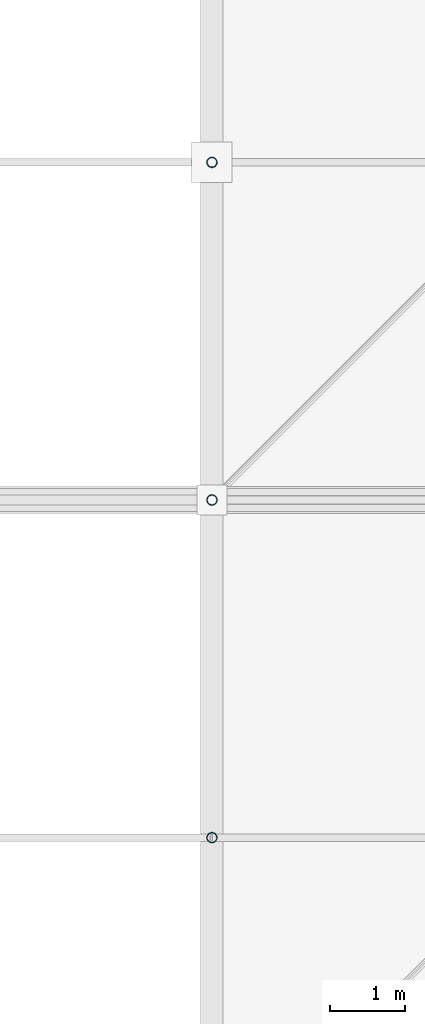
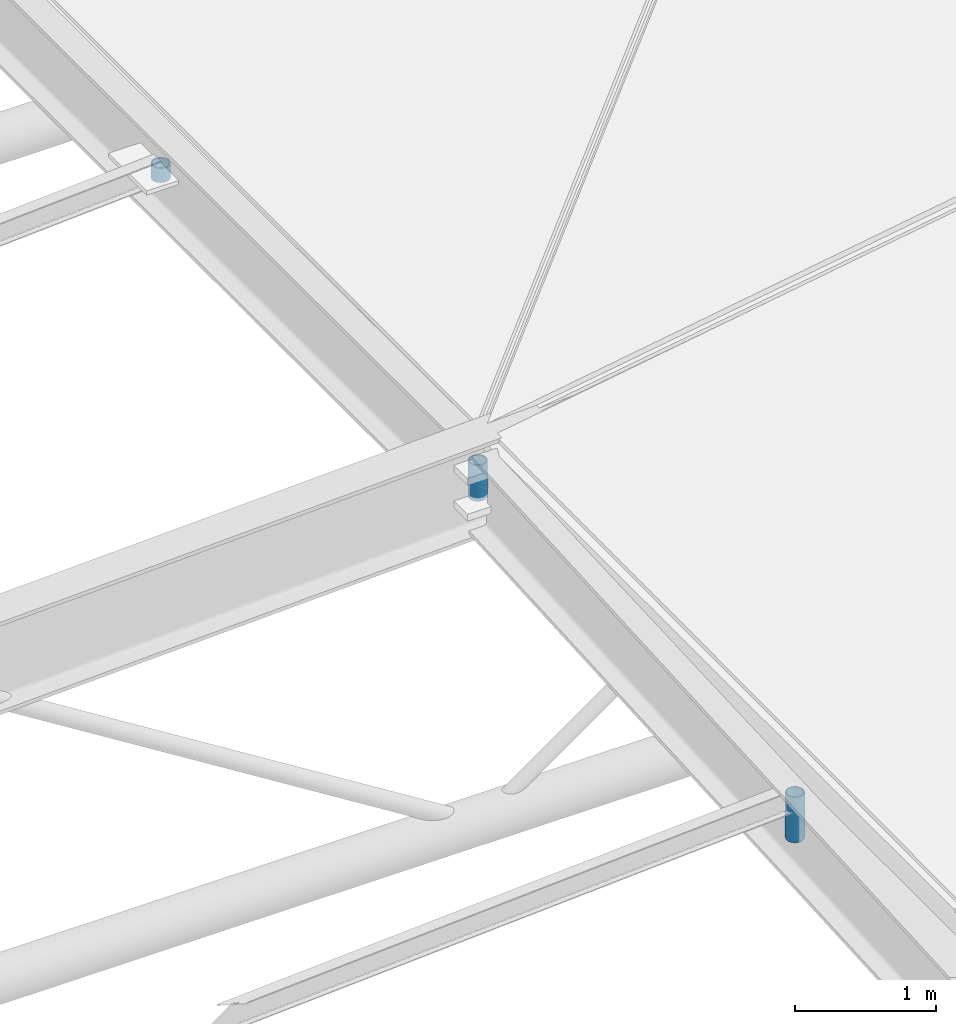
# One storey, part 68 of 80: 3 members.
"""IFC4 building model written with IfcOpenShell, lengths in metres."""

from ifc_helpers import new_model, si_unit, direction, frame, origin, origin_2d, place, context, subcontext, project, spatial, hollow_circle, extrude, material, material_profile, profile_set, type_object, element, save


model = new_model("IFC4")

# Units and contexts
model_context = context("Model", 3, precision=1e-05, world=origin(), true_north=direction((0.0, 1.0)))
body_context = subcontext(model_context, "Body", "Model", "MODEL_VIEW")
ifc_project = project(units=[si_unit("LENGTHUNIT", "METRE"), si_unit("AREAUNIT", "SQUARE_METRE"), si_unit("VOLUMEUNIT", "CUBIC_METRE"), si_unit("PLANEANGLEUNIT", "RADIAN"), si_unit("MASSUNIT", "GRAM", prefix="KILO")], contexts=[model_context])

# Site, building, storey
site_placement = place(None, origin())
site = spatial("IfcSite", under=ifc_project, at=site_placement, CompositionType="ELEMENT")
building_placement = place(site_placement, origin())
building = spatial("IfcBuilding", under=site, at=building_placement, Name="Barlavento Convention Centre", CompositionType="ELEMENT")
storey_placement = place(building_placement, frame((0.0, 0.0, 29.800048828125)))
storey = spatial("IfcBuildingStorey", under=building, at=storey_placement, Name="RF", CompositionType="ELEMENT", Elevation=29.800048828125)

# Members
ifc_material = material(Name="Steel S355", Category="steel")
ifc_material_profile = material_profile(ifc_material, hollow_circle(Radius=0.06982421875, WallThickness=0.008056640625, at=origin_2d()), Name="CHS 139.7x8.0")
ifc_profile_set = profile_set([ifc_material_profile], Name="Steel S355")
member_type = type_object("IfcMemberType", Name="STR-MEM-DIAG-CHS139", PredefinedType="BRACE", material=ifc_profile_set)
member_1_placement = place(storey_placement, frame((45.0, 18.0, -0.346923828125), z_axis=(0.0, 0.0, 1.0), x_axis=(1.0, 0.0, 0.0)))
element("IfcMember", 1, at=member_1_placement, inside=storey, type_object=member_type, Name="Congress space frame vertical node post TD04", PredefinedType="BRACE", context=body_context, shape_type="SweptSolid", body=[
    extrude(hollow_circle(Radius=0.06982421875, WallThickness=0.008056640625, at=origin_2d()), origin(), (0.0, 0.0, 1.0), 0.310546875),
])
member_2_placement = place(storey_placement, frame((45.0, 13.5, -0.5751953125), z_axis=(0.0, 0.0, 1.0), x_axis=(1.0, 0.0, 0.0)))
element("IfcMember", 2, at=member_2_placement, inside=storey, type_object=member_type, Name="Congress space frame vertical node post TD04", PredefinedType="BRACE", context=body_context, shape_type="SweptSolid", body=[
    extrude(hollow_circle(Radius=0.06982421875, WallThickness=0.008056640625, at=origin_2d()), origin(), (0.0, 0.0, 1.0), 0.39306640625),
])
member_3_placement = place(storey_placement, frame((45.0, 22.5, -0.31689453125), z_axis=(0.0, 0.0, 1.0), x_axis=(1.0, 0.0, 0.0)))
element("IfcMember", 3, at=member_3_placement, inside=storey, type_object=member_type, Name="Congress space frame vertical node post TD04", PredefinedType="BRACE", context=body_context, shape_type="SweptSolid", body=[
    extrude(hollow_circle(Radius=0.06982421875, WallThickness=0.008056640625, at=origin_2d()), origin(), (0.0, 0.0, 1.0), 0.124755859375),
])

save(model, "model.ifc")
